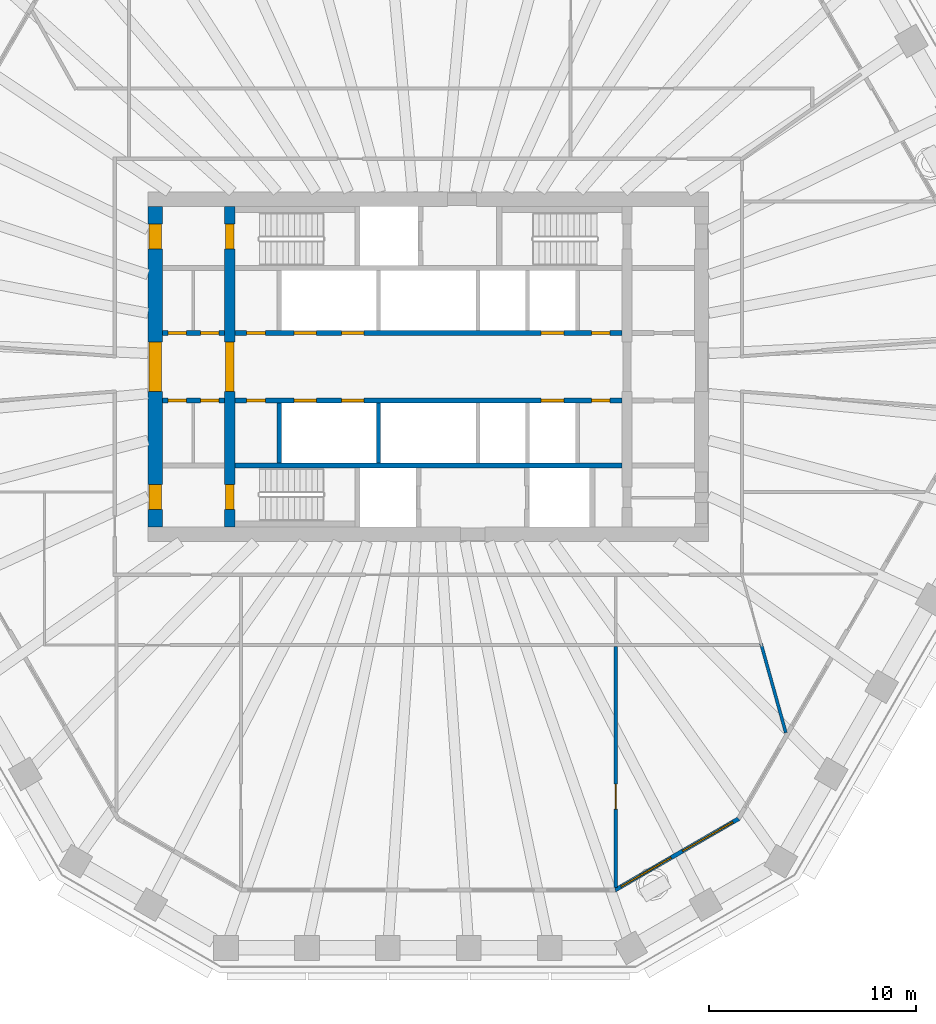
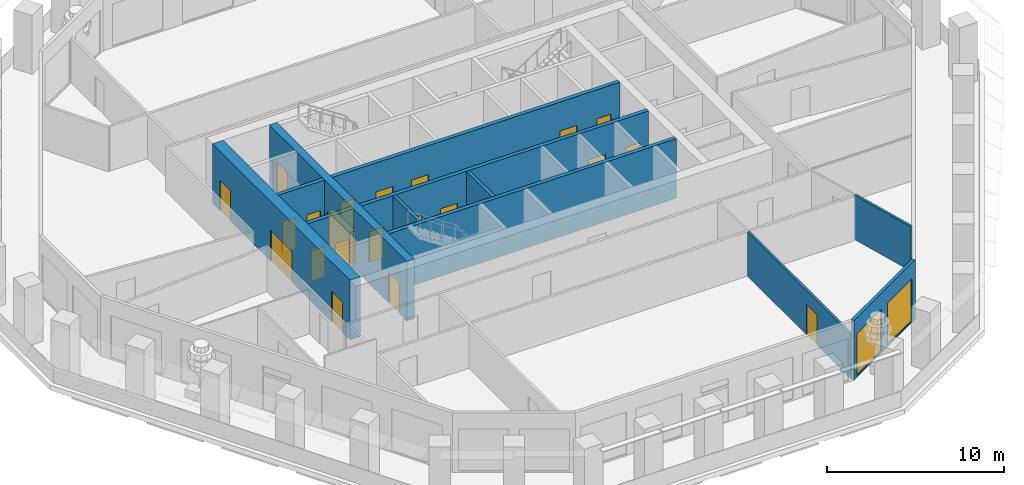
# One storey, part 4 of 12: 21 doors, 12 walls, 2 windows, 23 openings.
"""IFC4 building model written with IfcOpenShell, lengths in metres."""

from ifc_helpers import new_model, si_unit, direction, frame, frame_2d, origin, place, context, subcontext, project, spatial, polyline, rectangle, outline, extrude, material, layer, layer_set, type_object, element, fill, save


model = new_model("IFC4")

# Units and contexts
model_context = context("Model", 3, precision=1e-05, world=origin(), true_north=direction((0.0, 1.0)))
body_context = subcontext(model_context, "Body", "Model", "MODEL_VIEW")
ifc_project = project(units=[si_unit("LENGTHUNIT", "METRE"), si_unit("AREAUNIT", "SQUARE_METRE"), si_unit("VOLUMEUNIT", "CUBIC_METRE"), si_unit("PLANEANGLEUNIT", "RADIAN"), si_unit("MASSUNIT", "GRAM", prefix="KILO")], contexts=[model_context])

# Site, building, storey
site_placement = place(None, origin())
site = spatial("IfcSite", under=ifc_project, at=site_placement, CompositionType="ELEMENT")
building_placement = place(site_placement, origin())
building = spatial("IfcBuilding", under=site, at=building_placement, Name="Frailejon Research Tower", CompositionType="ELEMENT")
storey_placement = place(building_placement, frame((0.0, 0.0, 189.199951171875)))
storey = spatial("IfcBuildingStorey", under=building, at=storey_placement, Name="L41", CompositionType="ELEMENT", Elevation=189.199951171875)

# Wall, openings, doors
ifc_material_1 = material(Name="Concrete C60/75", Category="concrete")
ifc_layer_1 = layer(ifc_material_1, 0.5)
ifc_layer_set_1 = layer_set([ifc_layer_1], Name="Core shear wall 500 C60/75")
wall_type_1 = type_object("IfcWallType", Name="Core shear wall 500 C60/75", PredefinedType="SHEAR", material=ifc_layer_set_1)
wall_1_placement = place(storey_placement, frame((-9.60009765625, -7.75, 0.0), z_axis=(0.0, 0.0, 1.0), x_axis=(0.0, 1.0, 0.0)))
wall_1 = element("IfcWall", 1, at=wall_1_placement, inside=storey, type_object=wall_type_1, Name="Core shear wall", PredefinedType="SHEAR", context=body_context, shape_type="SweptSolid", body=[
    extrude(rectangle(XDim=15.5, YDim=0.5, at=frame_2d((7.75, 0.0))), origin(), (0.0, 0.0, 1.0), 4.10009765625),
])
opening_1_placement = place(wall_1_placement, frame((6.550048828125, 0.0, 0.0)))
opening_1 = element("IfcOpeningElement", 2, at=opening_1_placement, cuts=wall_1, Name="Opening D2", PredefinedType="OPENING", context=body_context, shape_type="SweptSolid", body=[
    extrude(rectangle(XDim=2.39990234375, YDim=2.10009765625, at=frame_2d((1.199951171875, 1.050048828125))), frame((0.0, 0.260009765625, 0.0), z_axis=(0.0, -1.0, 0.0), x_axis=(1.0, 0.0, 0.0)), (0.0, 0.0, 1.0), 0.52001953125),
])
opening_2_placement = place(wall_1_placement, frame((13.449951171875, 0.0, 0.0)))
opening_2 = element("IfcOpeningElement", 3, at=opening_2_placement, cuts=wall_1, Name="Opening D1", PredefinedType="OPENING", context=body_context, shape_type="SweptSolid", body=[
    extrude(rectangle(XDim=1.199951171875, YDim=2.10009765625, at=frame_2d((0.60009765625, 1.050048828125))), frame((0.0, 0.260009765625, 0.0), z_axis=(0.0, -1.0, 0.0), x_axis=(1.0, 0.0, 0.0)), (0.0, 0.0, 1.0), 0.52001953125),
])
opening_3_placement = place(wall_1_placement, frame((0.85009765625, 0.0, 0.0)))
opening_3 = element("IfcOpeningElement", 4, at=opening_3_placement, cuts=wall_1, Name="Opening D1", PredefinedType="OPENING", context=body_context, shape_type="SweptSolid", body=[
    extrude(rectangle(XDim=1.199951171875, YDim=2.10009765625, at=frame_2d((0.60009765625, 1.050048828125))), frame((0.0, 0.260009765625, 0.0), z_axis=(0.0, -1.0, 0.0), x_axis=(1.0, 0.0, 0.0)), (0.0, 0.0, 1.0), 0.52001953125),
])
ifc_material_2 = material(Name="Steel", Category="steel")
door_type_1 = type_object("IfcDoorType", Name="Lobby double door", OperationType="DOUBLE_DOOR_SINGLE_SWING", PredefinedType="DOOR", material=ifc_material_2)
door_1_placement = place(opening_1_placement, origin())
door_1 = element("IfcDoor", 5, at=door_1_placement, inside=storey, type_object=door_type_1, Name="Lobby door", OperationType="DOUBLE_DOOR_SINGLE_SWING", OverallHeight=2.10009765625, OverallWidth=2.39990234375, PredefinedType="DOOR", context=body_context, shape_type="SweptSolid", body=[
    extrude(rectangle(XDim=2.39990234375, YDim=2.10009765625, at=frame_2d((1.199951171875, 1.050048828125))), frame((0.0, 0.199951171875, 0.0), z_axis=(0.0, -1.0, 0.0), x_axis=(1.0, 0.0, 0.0)), (0.0, 0.0, 1.0), 0.39990234375),
])
fill(opening_1, door_1)
ifc_material_3 = material(Name="Steel", Category="steel")
door_type_2 = type_object("IfcDoorType", Name="Stair door", OperationType="SINGLE_SWING_LEFT", PredefinedType="DOOR", material=ifc_material_3)
door_2_placement = place(opening_2_placement, origin())
door_2 = element("IfcDoor", 6, at=door_2_placement, inside=storey, type_object=door_type_2, Name="Stair door ST1", OperationType="SINGLE_SWING_RIGHT", OverallHeight=2.10009765625, OverallWidth=1.199951171875, PredefinedType="DOOR", context=body_context, shape_type="SweptSolid", body=[
    extrude(rectangle(XDim=1.199951171875, YDim=2.10009765625, at=frame_2d((0.60009765625, 1.050048828125))), frame((0.0, 0.199951171875, 0.0), z_axis=(0.0, -1.0, 0.0), x_axis=(1.0, 0.0, 0.0)), (0.0, 0.0, 1.0), 0.39990234375),
])
fill(opening_2, door_2)
door_3_placement = place(opening_3_placement, origin())
door_3 = element("IfcDoor", 7, at=door_3_placement, inside=storey, type_object=door_type_2, Name="Stair door ST2", OperationType="SINGLE_SWING_RIGHT", OverallHeight=2.10009765625, OverallWidth=1.199951171875, PredefinedType="DOOR", context=body_context, shape_type="SweptSolid", body=[
    extrude(rectangle(XDim=1.199951171875, YDim=2.10009765625, at=frame_2d((0.60009765625, 1.050048828125))), frame((0.0, 0.199951171875, 0.0), z_axis=(0.0, -1.0, 0.0), x_axis=(1.0, 0.0, 0.0)), (0.0, 0.0, 1.0), 0.39990234375),
])
fill(opening_3, door_3)

ifc_material_4 = material(Name="Concrete C60/75", Category="concrete")
ifc_layer_2 = layer(ifc_material_4, 0.699951171875)
ifc_layer_set_2 = layer_set([ifc_layer_2], Name="Core shear wall 700 C60/75")
wall_type_2 = type_object("IfcWallType", Name="Core shear wall 700 C60/75", PredefinedType="SHEAR", material=ifc_layer_set_2)
wall_2_placement = place(storey_placement, frame((-13.199951171875, -7.75, 0.0), z_axis=(0.0, 0.0, 1.0), x_axis=(0.0, 1.0, 0.0)))
wall_2 = element("IfcWall", 8, at=wall_2_placement, inside=storey, type_object=wall_type_2, Name="Core shear wall", PredefinedType="SHEAR", context=body_context, shape_type="SweptSolid", body=[
    extrude(rectangle(XDim=15.5, YDim=0.699951171875, at=frame_2d((7.75, 0.0))), origin(), (0.0, 0.0, 1.0), 4.10009765625),
])
opening_4_placement = place(wall_2_placement, frame((6.550048828125, 0.0, 0.0)))
opening_4 = element("IfcOpeningElement", 9, at=opening_4_placement, cuts=wall_2, Name="Opening D2", PredefinedType="OPENING", context=body_context, shape_type="SweptSolid", body=[
    extrude(rectangle(XDim=2.39990234375, YDim=2.10009765625, at=frame_2d((1.199951171875, 1.050048828125))), frame((0.0, 0.35986328125, 0.0), z_axis=(0.0, -1.0, 0.0), x_axis=(1.0, 0.0, 0.0)), (0.0, 0.0, 1.0), 0.719970703125),
])
opening_5_placement = place(wall_2_placement, frame((13.449951171875, 0.0, 0.0)))
opening_5 = element("IfcOpeningElement", 10, at=opening_5_placement, cuts=wall_2, Name="Opening D7", PredefinedType="OPENING", context=body_context, shape_type="SweptSolid", body=[
    extrude(rectangle(XDim=1.199951171875, YDim=2.10009765625, at=frame_2d((0.60009765625, 1.050048828125))), frame((0.0, 0.35986328125, 0.0), z_axis=(0.0, -1.0, 0.0), x_axis=(1.0, 0.0, 0.0)), (0.0, 0.0, 1.0), 0.719970703125),
])
opening_6_placement = place(wall_2_placement, frame((0.85009765625, 0.0, 0.0)))
opening_6 = element("IfcOpeningElement", 11, at=opening_6_placement, cuts=wall_2, Name="Opening D7", PredefinedType="OPENING", context=body_context, shape_type="SweptSolid", body=[
    extrude(rectangle(XDim=1.199951171875, YDim=2.10009765625, at=frame_2d((0.60009765625, 1.050048828125))), frame((0.0, 0.35986328125, 0.0), z_axis=(0.0, -1.0, 0.0), x_axis=(1.0, 0.0, 0.0)), (0.0, 0.0, 1.0), 0.719970703125),
])
door_4_placement = place(opening_4_placement, origin())
door_4 = element("IfcDoor", 12, at=door_4_placement, inside=storey, type_object=door_type_1, Name="Lobby door", OperationType="DOUBLE_DOOR_SINGLE_SWING", OverallHeight=2.10009765625, OverallWidth=2.39990234375, PredefinedType="DOOR", context=body_context, shape_type="SweptSolid", body=[
    extrude(rectangle(XDim=2.39990234375, YDim=2.10009765625, at=frame_2d((1.199951171875, 1.050048828125))), frame((0.0, 0.300048828125, 0.0), z_axis=(0.0, -1.0, 0.0), x_axis=(1.0, 0.0, 0.0)), (0.0, 0.0, 1.0), 0.60009765625),
])
fill(opening_4, door_4)
ifc_material_5 = material(Name="Steel", Category="steel")
door_type_3 = type_object("IfcDoorType", Name="Stair exit door", OperationType="SINGLE_SWING_LEFT", PredefinedType="DOOR", material=ifc_material_5)
door_5_placement = place(opening_5_placement, origin())
door_5 = element("IfcDoor", 13, at=door_5_placement, inside=storey, type_object=door_type_3, Name="Stair exit door ST1", OperationType="SINGLE_SWING_LEFT", OverallHeight=2.10009765625, OverallWidth=1.199951171875, PredefinedType="DOOR", context=body_context, shape_type="SweptSolid", body=[
    extrude(rectangle(XDim=1.199951171875, YDim=2.10009765625, at=frame_2d((0.60009765625, 1.050048828125))), frame((0.0, 0.300048828125, 0.0), z_axis=(0.0, -1.0, 0.0), x_axis=(1.0, 0.0, 0.0)), (0.0, 0.0, 1.0), 0.60009765625),
])
fill(opening_5, door_5)
door_6_placement = place(opening_6_placement, origin())
door_6 = element("IfcDoor", 14, at=door_6_placement, inside=storey, type_object=door_type_3, Name="Stair exit door ST2", OperationType="SINGLE_SWING_LEFT", OverallHeight=2.10009765625, OverallWidth=1.199951171875, PredefinedType="DOOR", context=body_context, shape_type="SweptSolid", body=[
    extrude(rectangle(XDim=1.199951171875, YDim=2.10009765625, at=frame_2d((0.60009765625, 1.050048828125))), frame((0.0, 0.300048828125, 0.0), z_axis=(0.0, -1.0, 0.0), x_axis=(1.0, 0.0, 0.0)), (0.0, 0.0, 1.0), 0.60009765625),
])
fill(opening_6, door_6)

# Wall, opening, door
ifc_material_6 = material(Name="Gypsum board and masonry partition", Category="masonry")
ifc_layer_3 = layer(ifc_material_6, 0.14990234375)
ifc_layer_set_3 = layer_set([ifc_layer_3], Name="Laboratory partition, blockwork 150")
wall_type_3 = type_object("IfcWallType", Name="Laboratory partition, blockwork 150", PredefinedType="PARTITIONING", material=ifc_layer_set_3)
wall_3_placement = place(storey_placement, frame((9.05810546875, -25.15185546875, 0.0), z_axis=(0.0, 0.0, 1.0), x_axis=(0.0, 1.0, 0.0)))
wall_3 = element("IfcWall", 15, at=wall_3_placement, inside=storey, type_object=wall_type_3, Name="T:IW:L41:021", PredefinedType="PARTITIONING", context=body_context, shape_type="SweptSolid", body=[
    extrude(rectangle(XDim=11.626953125, YDim=0.14990234375, at=frame_2d((5.8134765625, 0.0))), origin(), (0.0, 0.0, 1.0), 3.050048828125),
])
opening_7_placement = place(wall_3_placement, frame((3.780517578125, 0.0, 0.0)))
opening_7 = element("IfcOpeningElement", 16, at=opening_7_placement, cuts=wall_3, Name="Opening D1898", PredefinedType="OPENING", context=body_context, shape_type="SweptSolid", body=[
    extrude(rectangle(XDim=1.199951171875, YDim=2.10009765625, at=frame_2d((0.60009765625, 1.050048828125))), frame((0.0, 0.0849609375, 0.0), z_axis=(0.0, -1.0, 0.0), x_axis=(1.0, 0.0, 0.0)), (0.0, 0.0, 1.0), 0.169921875),
])
ifc_material_7 = material(Name="Timber door leaf", Category="wood")
door_type_4 = type_object("IfcDoorType", Name="Door laboratory, timber, vision panel 1200", OperationType="NOTDEFINED", PredefinedType="DOOR", material=ifc_material_7)
door_7_placement = place(opening_7_placement, origin())
door_7 = element("IfcDoor", 17, at=door_7_placement, inside=storey, type_object=door_type_4, Name="D1898", OperationType="DOUBLE_DOOR_SINGLE_SWING", OverallHeight=2.10009765625, OverallWidth=1.199951171875, PredefinedType="DOOR", context=body_context, shape_type="SweptSolid", body=[
    extrude(rectangle(XDim=1.199951171875, YDim=2.10009765625, at=frame_2d((0.60009765625, 1.050048828125))), frame((0.0, 0.02490234375, 0.0), z_axis=(0.0, -1.0, 0.0), x_axis=(1.0, 0.0, 0.0)), (0.0, 0.0, 1.0), 0.050048828125),
])
fill(opening_7, door_7)

# Walls
wall_4_placement = place(storey_placement, frame((16.075927734375, -13.377685546875, 0.0), z_axis=(0.0, 0.0, 1.0), x_axis=(0.268117368294, -0.963386255257, 0.0)))
element("IfcWall", 18, at=wall_4_placement, inside=storey, type_object=wall_type_3, Name="T:IW:L41:022", PredefinedType="PARTITIONING", context=body_context, shape_type="SweptSolid", body=[
    extrude(rectangle(XDim=4.46728515625, YDim=0.14990234375, at=frame_2d((2.233642578125, 0.0))), origin(), (0.0, 0.0, 1.0), 3.050048828125),
])
ifc_material_8 = material(Name="Concrete C60/75", Category="concrete")
ifc_layer_4 = layer(ifc_material_8, 0.199951171875)
ifc_layer_set_4 = layer_set([ifc_layer_4], Name="Shaft wall 200 C60/75")
wall_type_4 = type_object("IfcWallType", Name="Shaft wall 200 C60/75", PredefinedType="SOLIDWALL", material=ifc_layer_set_4)
for number, where, z_axis, x_axis, name in (
    (19, (-7.199951171875, -4.64990234375, 0.0), (0.0, 0.0, 1.0), (0.0, 1.0, 0.0), "Shaft wall"),
    (20, (-2.39990234375, -4.64990234375, 0.0), (0.0, 0.0, 1.0), (0.0, 1.0, 0.0), "Shaft wall"),
):
    element("IfcWall", number, at=place(storey_placement, frame(where, z_axis=z_axis, x_axis=x_axis)), inside=storey, type_object=wall_type_4, Name=name, PredefinedType="SOLIDWALL", context=body_context, shape_type="SweptSolid", body=[
        extrude(rectangle(XDim=2.89990234375, YDim=0.199951171875, at=frame_2d((1.449951171875, 0.0))), origin(), (0.0, 0.0, 1.0), 4.10009765625),
    ])

# Wall, openings, doors
ifc_material_9 = material(Name="Concrete C60/75", Category="concrete")
ifc_layer_5 = layer(ifc_material_9, 0.25)
ifc_layer_set_5 = layer_set([ifc_layer_5], Name="Shaft wall 250 C60/75")
wall_type_5 = type_object("IfcWallType", Name="Shaft wall 250 C60/75", PredefinedType="SOLIDWALL", material=ifc_layer_set_5)
wall_5_placement = place(storey_placement, frame((-12.85009765625, 1.625, 0.0), z_axis=(0.0, 0.0, 1.0), x_axis=(1.0, 0.0, 0.0)))
wall_5 = element("IfcWall", 21, at=wall_5_placement, inside=storey, type_object=wall_type_5, Name="Shaft wall", PredefinedType="SOLIDWALL", context=body_context, shape_type="SweptSolid", body=[
    extrude(rectangle(XDim=3.0, YDim=0.25, at=frame_2d((1.5, 0.0))), origin(), (0.0, 0.0, 1.0), 4.10009765625),
])
opening_8_placement = place(wall_5_placement, frame((0.268798828125, 0.0, 0.0)))
opening_8 = element("IfcOpeningElement", 22, at=opening_8_placement, cuts=wall_5, Name="Opening D8", PredefinedType="OPENING", context=body_context, shape_type="SweptSolid", body=[
    extrude(rectangle(XDim=0.89990234375, YDim=2.10009765625, at=frame_2d((0.449951171875, 1.050048828125))), frame((0.0, 0.135009765625, 0.0), z_axis=(0.0, -1.0, 0.0), x_axis=(1.0, 0.0, 0.0)), (0.0, 0.0, 1.0), 0.27001953125),
])
opening_9_placement = place(wall_5_placement, frame((1.831298828125, 0.0, 0.0)))
opening_9 = element("IfcOpeningElement", 23, at=opening_9_placement, cuts=wall_5, Name="Opening D8", PredefinedType="OPENING", context=body_context, shape_type="SweptSolid", body=[
    extrude(rectangle(XDim=0.89990234375, YDim=2.10009765625, at=frame_2d((0.449951171875, 1.050048828125))), frame((0.0, 0.135009765625, 0.0), z_axis=(0.0, -1.0, 0.0), x_axis=(1.0, 0.0, 0.0)), (0.0, 0.0, 1.0), 0.27001953125),
])
ifc_material_10 = material(Name="Steel", Category="steel")
door_type_5 = type_object("IfcDoorType", Name="Core room door", OperationType="SINGLE_SWING_LEFT", PredefinedType="DOOR", material=ifc_material_10)
door_8_placement = place(opening_8_placement, origin())
door_8 = element("IfcDoor", 24, at=door_8_placement, inside=storey, type_object=door_type_5, Name="Room door", OperationType="SINGLE_SWING_LEFT", OverallHeight=2.10009765625, OverallWidth=0.89990234375, PredefinedType="DOOR", context=body_context, shape_type="SweptSolid", body=[
    extrude(rectangle(XDim=0.89990234375, YDim=2.10009765625, at=frame_2d((0.449951171875, 1.050048828125))), frame((0.0, 0.074951171875, 0.0), z_axis=(0.0, -1.0, 0.0), x_axis=(1.0, 0.0, 0.0)), (0.0, 0.0, 1.0), 0.14990234375),
])
fill(opening_8, door_8)
door_9_placement = place(opening_9_placement, origin())
door_9 = element("IfcDoor", 25, at=door_9_placement, inside=storey, type_object=door_type_5, Name="Room door", OperationType="SINGLE_SWING_RIGHT", OverallHeight=2.10009765625, OverallWidth=0.89990234375, PredefinedType="DOOR", context=body_context, shape_type="SweptSolid", body=[
    extrude(rectangle(XDim=0.89990234375, YDim=2.10009765625, at=frame_2d((0.449951171875, 1.050048828125))), frame((0.0, 0.074951171875, 0.0), z_axis=(0.0, -1.0, 0.0), x_axis=(1.0, 0.0, 0.0)), (0.0, 0.0, 1.0), 0.14990234375),
])
fill(opening_9, door_9)

wall_6_placement = place(storey_placement, frame((-9.35009765625, 1.625, 0.0), z_axis=(0.0, 0.0, 1.0), x_axis=(1.0, 0.0, 0.0)))
wall_6 = element("IfcWall", 26, at=wall_6_placement, inside=storey, type_object=wall_type_5, Name="Shaft wall", PredefinedType="SOLIDWALL", context=body_context, shape_type="SweptSolid", body=[
    extrude(rectangle(XDim=18.7001953125, YDim=0.25, at=frame_2d((9.35009765625, 0.0))), origin(), (0.0, 0.0, 1.0), 4.10009765625),
])
opening_10_placement = place(wall_6_placement, frame((2.85009765625, 0.0, 0.0)))
opening_10 = element("IfcOpeningElement", 27, at=opening_10_placement, cuts=wall_6, Name="Opening LD", PredefinedType="OPENING", context=body_context, shape_type="SweptSolid", body=[
    extrude(rectangle(XDim=1.10009765625, YDim=2.10009765625, at=frame_2d((0.550048828125, 1.050048828125))), frame((0.0, 0.135009765625, 0.0), z_axis=(0.0, -1.0, 0.0), x_axis=(1.0, 0.0, 0.0)), (0.0, 0.0, 1.0), 0.27001953125),
])
opening_11_placement = place(wall_6_placement, frame((5.14990234375, 0.0, 0.0)))
opening_11 = element("IfcOpeningElement", 28, at=opening_11_placement, cuts=wall_6, Name="Opening LD", PredefinedType="OPENING", context=body_context, shape_type="SweptSolid", body=[
    extrude(rectangle(XDim=1.10009765625, YDim=2.10009765625, at=frame_2d((0.550048828125, 1.050048828125))), frame((0.0, 0.135009765625, 0.0), z_axis=(0.0, -1.0, 0.0), x_axis=(1.0, 0.0, 0.0)), (0.0, 0.0, 1.0), 0.27001953125),
])
opening_12_placement = place(wall_6_placement, frame((14.800048828125, 0.0, 0.0)))
opening_12 = element("IfcOpeningElement", 29, at=opening_12_placement, cuts=wall_6, Name="Opening LD", PredefinedType="OPENING", context=body_context, shape_type="SweptSolid", body=[
    extrude(rectangle(XDim=1.10009765625, YDim=2.10009765625, at=frame_2d((0.550048828125, 1.050048828125))), frame((0.0, 0.135009765625, 0.0), z_axis=(0.0, -1.0, 0.0), x_axis=(1.0, 0.0, 0.0)), (0.0, 0.0, 1.0), 0.27001953125),
])
opening_13_placement = place(wall_6_placement, frame((0.574951171875, 0.0, 0.0)))
opening_13 = element("IfcOpeningElement", 30, at=opening_13_placement, cuts=wall_6, Name="Opening D8", PredefinedType="OPENING", context=body_context, shape_type="SweptSolid", body=[
    extrude(rectangle(XDim=0.89990234375, YDim=2.10009765625, at=frame_2d((0.449951171875, 1.050048828125))), frame((0.0, 0.135009765625, 0.0), z_axis=(0.0, -1.0, 0.0), x_axis=(1.0, 0.0, 0.0)), (0.0, 0.0, 1.0), 0.27001953125),
])
opening_14_placement = place(wall_6_placement, frame((17.22509765625, 0.0, 0.0)))
opening_14 = element("IfcOpeningElement", 31, at=opening_14_placement, cuts=wall_6, Name="Opening D8", PredefinedType="OPENING", context=body_context, shape_type="SweptSolid", body=[
    extrude(rectangle(XDim=0.89990234375, YDim=2.10009765625, at=frame_2d((0.449951171875, 1.050048828125))), frame((0.0, 0.135009765625, 0.0), z_axis=(0.0, -1.0, 0.0), x_axis=(1.0, 0.0, 0.0)), (0.0, 0.0, 1.0), 0.27001953125),
])
door_10_placement = place(opening_13_placement, origin())
door_10 = element("IfcDoor", 32, at=door_10_placement, inside=storey, type_object=door_type_5, Name="Room door", OperationType="SINGLE_SWING_LEFT", OverallHeight=2.10009765625, OverallWidth=0.89990234375, PredefinedType="DOOR", context=body_context, shape_type="SweptSolid", body=[
    extrude(rectangle(XDim=0.89990234375, YDim=2.10009765625, at=frame_2d((0.449951171875, 1.050048828125))), frame((0.0, 0.074951171875, 0.0), z_axis=(0.0, -1.0, 0.0), x_axis=(1.0, 0.0, 0.0)), (0.0, 0.0, 1.0), 0.14990234375),
])
fill(opening_13, door_10)
door_11_placement = place(opening_14_placement, origin())
door_11 = element("IfcDoor", 33, at=door_11_placement, inside=storey, type_object=door_type_5, Name="Room door", OperationType="SINGLE_SWING_RIGHT", OverallHeight=2.10009765625, OverallWidth=0.89990234375, PredefinedType="DOOR", context=body_context, shape_type="SweptSolid", body=[
    extrude(rectangle(XDim=0.89990234375, YDim=2.10009765625, at=frame_2d((0.449951171875, 1.050048828125))), frame((0.0, 0.074951171875, 0.0), z_axis=(0.0, -1.0, 0.0), x_axis=(1.0, 0.0, 0.0)), (0.0, 0.0, 1.0), 0.14990234375),
])
fill(opening_14, door_11)
ifc_material_11 = material(Name="Steel", Category="steel")
door_type_6 = type_object("IfcDoorType", Name="Lift landing door", OperationType="DOUBLE_DOOR_SLIDING", PredefinedType="DOOR", material=ifc_material_11)
door_12_placement = place(opening_10_placement, origin())
door_12 = element("IfcDoor", 34, at=door_12_placement, inside=storey, type_object=door_type_6, Name="Lift landing door", OperationType="DOUBLE_DOOR_SLIDING", OverallHeight=2.10009765625, OverallWidth=1.10009765625, PredefinedType="DOOR", context=body_context, shape_type="SweptSolid", body=[
    extrude(rectangle(XDim=1.10009765625, YDim=2.10009765625, at=frame_2d((0.550048828125, 1.050048828125))), frame((0.0, 0.074951171875, 0.0), z_axis=(0.0, -1.0, 0.0), x_axis=(1.0, 0.0, 0.0)), (0.0, 0.0, 1.0), 0.14990234375),
])
fill(opening_10, door_12)
door_13_placement = place(opening_11_placement, origin())
door_13 = element("IfcDoor", 35, at=door_13_placement, inside=storey, type_object=door_type_6, Name="Lift landing door", OperationType="DOUBLE_DOOR_SLIDING", OverallHeight=2.10009765625, OverallWidth=1.10009765625, PredefinedType="DOOR", context=body_context, shape_type="SweptSolid", body=[
    extrude(rectangle(XDim=1.10009765625, YDim=2.10009765625, at=frame_2d((0.550048828125, 1.050048828125))), frame((0.0, 0.074951171875, 0.0), z_axis=(0.0, -1.0, 0.0), x_axis=(1.0, 0.0, 0.0)), (0.0, 0.0, 1.0), 0.14990234375),
])
fill(opening_11, door_13)
door_14_placement = place(opening_12_placement, origin())
door_14 = element("IfcDoor", 36, at=door_14_placement, inside=storey, type_object=door_type_6, Name="Lift landing door", OperationType="DOUBLE_DOOR_SLIDING", OverallHeight=2.10009765625, OverallWidth=1.10009765625, PredefinedType="DOOR", context=body_context, shape_type="SweptSolid", body=[
    extrude(rectangle(XDim=1.10009765625, YDim=2.10009765625, at=frame_2d((0.550048828125, 1.050048828125))), frame((0.0, 0.074951171875, 0.0), z_axis=(0.0, -1.0, 0.0), x_axis=(1.0, 0.0, 0.0)), (0.0, 0.0, 1.0), 0.14990234375),
])
fill(opening_12, door_14)

wall_7_placement = place(storey_placement, frame((-12.85009765625, -1.625, 0.0), z_axis=(0.0, 0.0, 1.0), x_axis=(1.0, 0.0, 0.0)))
wall_7 = element("IfcWall", 37, at=wall_7_placement, inside=storey, type_object=wall_type_5, Name="Shaft wall", PredefinedType="SOLIDWALL", context=body_context, shape_type="SweptSolid", body=[
    extrude(rectangle(XDim=3.0, YDim=0.25, at=frame_2d((1.5, 0.0))), origin(), (0.0, 0.0, 1.0), 4.10009765625),
])
opening_15_placement = place(wall_7_placement, frame((0.268798828125, 0.0, 0.0)))
opening_15 = element("IfcOpeningElement", 38, at=opening_15_placement, cuts=wall_7, Name="Opening D8", PredefinedType="OPENING", context=body_context, shape_type="SweptSolid", body=[
    extrude(rectangle(XDim=0.89990234375, YDim=2.10009765625, at=frame_2d((0.449951171875, 1.050048828125))), frame((0.0, 0.135009765625, 0.0), z_axis=(0.0, -1.0, 0.0), x_axis=(1.0, 0.0, 0.0)), (0.0, 0.0, 1.0), 0.27001953125),
])
opening_16_placement = place(wall_7_placement, frame((1.831298828125, 0.0, 0.0)))
opening_16 = element("IfcOpeningElement", 39, at=opening_16_placement, cuts=wall_7, Name="Opening D8", PredefinedType="OPENING", context=body_context, shape_type="SweptSolid", body=[
    extrude(rectangle(XDim=0.89990234375, YDim=2.10009765625, at=frame_2d((0.449951171875, 1.050048828125))), frame((0.0, 0.135009765625, 0.0), z_axis=(0.0, -1.0, 0.0), x_axis=(1.0, 0.0, 0.0)), (0.0, 0.0, 1.0), 0.27001953125),
])
door_15_placement = place(opening_15_placement, origin())
door_15 = element("IfcDoor", 40, at=door_15_placement, inside=storey, type_object=door_type_5, Name="Room door", OperationType="SINGLE_SWING_RIGHT", OverallHeight=2.10009765625, OverallWidth=0.89990234375, PredefinedType="DOOR", context=body_context, shape_type="SweptSolid", body=[
    extrude(rectangle(XDim=0.89990234375, YDim=2.10009765625, at=frame_2d((0.449951171875, 1.050048828125))), frame((0.0, 0.074951171875, 0.0), z_axis=(0.0, -1.0, 0.0), x_axis=(1.0, 0.0, 0.0)), (0.0, 0.0, 1.0), 0.14990234375),
])
fill(opening_15, door_15)
door_16_placement = place(opening_16_placement, origin())
door_16 = element("IfcDoor", 41, at=door_16_placement, inside=storey, type_object=door_type_5, Name="Room door", OperationType="SINGLE_SWING_LEFT", OverallHeight=2.10009765625, OverallWidth=0.89990234375, PredefinedType="DOOR", context=body_context, shape_type="SweptSolid", body=[
    extrude(rectangle(XDim=0.89990234375, YDim=2.10009765625, at=frame_2d((0.449951171875, 1.050048828125))), frame((0.0, 0.074951171875, 0.0), z_axis=(0.0, -1.0, 0.0), x_axis=(1.0, 0.0, 0.0)), (0.0, 0.0, 1.0), 0.14990234375),
])
fill(opening_16, door_16)

wall_8_placement = place(storey_placement, frame((-9.35009765625, -1.625, 0.0), z_axis=(0.0, 0.0, 1.0), x_axis=(1.0, 0.0, 0.0)))
wall_8 = element("IfcWall", 42, at=wall_8_placement, inside=storey, type_object=wall_type_5, Name="Shaft wall", PredefinedType="SOLIDWALL", context=body_context, shape_type="SweptSolid", body=[
    extrude(rectangle(XDim=18.7001953125, YDim=0.25, at=frame_2d((9.35009765625, 0.0))), origin(), (0.0, 0.0, 1.0), 4.10009765625),
])
opening_17_placement = place(wall_8_placement, frame((2.85009765625, 0.0, 0.0)))
opening_17 = element("IfcOpeningElement", 43, at=opening_17_placement, cuts=wall_8, Name="Opening LD", PredefinedType="OPENING", context=body_context, shape_type="SweptSolid", body=[
    extrude(rectangle(XDim=1.10009765625, YDim=2.10009765625, at=frame_2d((0.550048828125, 1.050048828125))), frame((0.0, 0.135009765625, 0.0), z_axis=(0.0, -1.0, 0.0), x_axis=(1.0, 0.0, 0.0)), (0.0, 0.0, 1.0), 0.27001953125),
])
opening_18_placement = place(wall_8_placement, frame((5.14990234375, 0.0, 0.0)))
opening_18 = element("IfcOpeningElement", 44, at=opening_18_placement, cuts=wall_8, Name="Opening LD", PredefinedType="OPENING", context=body_context, shape_type="SweptSolid", body=[
    extrude(rectangle(XDim=1.10009765625, YDim=2.10009765625, at=frame_2d((0.550048828125, 1.050048828125))), frame((0.0, 0.135009765625, 0.0), z_axis=(0.0, -1.0, 0.0), x_axis=(1.0, 0.0, 0.0)), (0.0, 0.0, 1.0), 0.27001953125),
])
opening_19_placement = place(wall_8_placement, frame((14.800048828125, 0.0, 0.0)))
opening_19 = element("IfcOpeningElement", 45, at=opening_19_placement, cuts=wall_8, Name="Opening LD", PredefinedType="OPENING", context=body_context, shape_type="SweptSolid", body=[
    extrude(rectangle(XDim=1.10009765625, YDim=2.10009765625, at=frame_2d((0.550048828125, 1.050048828125))), frame((0.0, 0.135009765625, 0.0), z_axis=(0.0, -1.0, 0.0), x_axis=(1.0, 0.0, 0.0)), (0.0, 0.0, 1.0), 0.27001953125),
])
opening_20_placement = place(wall_8_placement, frame((0.574951171875, 0.0, 0.0)))
opening_20 = element("IfcOpeningElement", 46, at=opening_20_placement, cuts=wall_8, Name="Opening D8", PredefinedType="OPENING", context=body_context, shape_type="SweptSolid", body=[
    extrude(rectangle(XDim=0.89990234375, YDim=2.10009765625, at=frame_2d((0.449951171875, 1.050048828125))), frame((0.0, 0.135009765625, 0.0), z_axis=(0.0, -1.0, 0.0), x_axis=(1.0, 0.0, 0.0)), (0.0, 0.0, 1.0), 0.27001953125),
])
opening_21_placement = place(wall_8_placement, frame((17.22509765625, 0.0, 0.0)))
opening_21 = element("IfcOpeningElement", 47, at=opening_21_placement, cuts=wall_8, Name="Opening D8", PredefinedType="OPENING", context=body_context, shape_type="SweptSolid", body=[
    extrude(rectangle(XDim=0.89990234375, YDim=2.10009765625, at=frame_2d((0.449951171875, 1.050048828125))), frame((0.0, 0.135009765625, 0.0), z_axis=(0.0, -1.0, 0.0), x_axis=(1.0, 0.0, 0.0)), (0.0, 0.0, 1.0), 0.27001953125),
])
door_17_placement = place(opening_20_placement, origin())
door_17 = element("IfcDoor", 48, at=door_17_placement, inside=storey, type_object=door_type_5, Name="Room door", OperationType="SINGLE_SWING_RIGHT", OverallHeight=2.10009765625, OverallWidth=0.89990234375, PredefinedType="DOOR", context=body_context, shape_type="SweptSolid", body=[
    extrude(rectangle(XDim=0.89990234375, YDim=2.10009765625, at=frame_2d((0.449951171875, 1.050048828125))), frame((0.0, 0.074951171875, 0.0), z_axis=(0.0, -1.0, 0.0), x_axis=(1.0, 0.0, 0.0)), (0.0, 0.0, 1.0), 0.14990234375),
])
fill(opening_20, door_17)
door_18_placement = place(opening_21_placement, origin())
door_18 = element("IfcDoor", 49, at=door_18_placement, inside=storey, type_object=door_type_5, Name="Room door", OperationType="SINGLE_SWING_LEFT", OverallHeight=2.10009765625, OverallWidth=0.89990234375, PredefinedType="DOOR", context=body_context, shape_type="SweptSolid", body=[
    extrude(rectangle(XDim=0.89990234375, YDim=2.10009765625, at=frame_2d((0.449951171875, 1.050048828125))), frame((0.0, 0.074951171875, 0.0), z_axis=(0.0, -1.0, 0.0), x_axis=(1.0, 0.0, 0.0)), (0.0, 0.0, 1.0), 0.14990234375),
])
fill(opening_21, door_18)
door_19_placement = place(opening_17_placement, origin())
door_19 = element("IfcDoor", 50, at=door_19_placement, inside=storey, type_object=door_type_6, Name="Lift landing door", OperationType="DOUBLE_DOOR_SLIDING", OverallHeight=2.10009765625, OverallWidth=1.10009765625, PredefinedType="DOOR", context=body_context, shape_type="SweptSolid", body=[
    extrude(rectangle(XDim=1.10009765625, YDim=2.10009765625, at=frame_2d((0.550048828125, 1.050048828125))), frame((0.0, 0.074951171875, 0.0), z_axis=(0.0, -1.0, 0.0), x_axis=(1.0, 0.0, 0.0)), (0.0, 0.0, 1.0), 0.14990234375),
])
fill(opening_17, door_19)
door_20_placement = place(opening_18_placement, origin())
door_20 = element("IfcDoor", 51, at=door_20_placement, inside=storey, type_object=door_type_6, Name="Lift landing door", OperationType="DOUBLE_DOOR_SLIDING", OverallHeight=2.10009765625, OverallWidth=1.10009765625, PredefinedType="DOOR", context=body_context, shape_type="SweptSolid", body=[
    extrude(rectangle(XDim=1.10009765625, YDim=2.10009765625, at=frame_2d((0.550048828125, 1.050048828125))), frame((0.0, 0.074951171875, 0.0), z_axis=(0.0, -1.0, 0.0), x_axis=(1.0, 0.0, 0.0)), (0.0, 0.0, 1.0), 0.14990234375),
])
fill(opening_18, door_20)
door_21_placement = place(opening_19_placement, origin())
door_21 = element("IfcDoor", 52, at=door_21_placement, inside=storey, type_object=door_type_6, Name="Lift landing door", OperationType="DOUBLE_DOOR_SLIDING", OverallHeight=2.10009765625, OverallWidth=1.10009765625, PredefinedType="DOOR", context=body_context, shape_type="SweptSolid", body=[
    extrude(rectangle(XDim=1.10009765625, YDim=2.10009765625, at=frame_2d((0.550048828125, 1.050048828125))), frame((0.0, 0.074951171875, 0.0), z_axis=(0.0, -1.0, 0.0), x_axis=(1.0, 0.0, 0.0)), (0.0, 0.0, 1.0), 0.14990234375),
])
fill(opening_19, door_21)

# Wall
wall_9_placement = place(storey_placement, frame((-9.35009765625, -4.77490234375, 0.0), z_axis=(0.0, 0.0, 1.0), x_axis=(1.0, 0.0, 0.0)))
element("IfcWall", 53, at=wall_9_placement, inside=storey, type_object=wall_type_5, Name="Shaft wall", PredefinedType="SOLIDWALL", context=body_context, shape_type="SweptSolid", body=[
    extrude(rectangle(XDim=18.7001953125, YDim=0.25, at=frame_2d((9.35009765625, 0.0))), origin(), (0.0, 0.0, 1.0), 4.10009765625),
])

# Wall, openings, windows
ifc_material_12 = material(Name="Concrete C40/50 precast window wall panel", Category="concrete")
ifc_layer_6 = layer(ifc_material_12, 0.199951171875)
ifc_layer_set_6 = layer_set([ifc_layer_6], Name="Window wall 200")
wall_type_6 = type_object("IfcWallType", Name="Window wall 200", PredefinedType="SOLIDWALL", material=ifc_layer_set_6)
wall_10_placement = place(storey_placement, frame((9.03125, -25.28271484375, 0.0), z_axis=(0.0, 0.0, 1.0), x_axis=(0.866029458321, 0.49999297727, 0.0)))
wall_10 = element("IfcWall", 54, at=wall_10_placement, inside=storey, type_object=wall_type_6, Name="Exterior wall L41", PredefinedType="SOLIDWALL", context=body_context, shape_type="SweptSolid", body=[
    extrude(outline(polyline([(-0.02685546875, -0.10009765625), (1.1279296875, -0.10009765625), (2.282470703125, -0.10009765625), (3.437255859375, -0.10009765625), (4.592041015625, -0.10009765625), (5.74658203125, -0.10009765625), (6.9013671875, -0.10009765625), (6.84765625, 0.10009765625), (5.7109375, 0.10009765625), (4.573974609375, 0.10009765625), (3.437255859375, 0.10009765625), (2.300537109375, 0.10009765625), (1.16357421875, 0.10009765625), (0.02685546875, 0.10009765625), (-0.02685546875, -0.10009765625)])), origin(), (0.0, 0.0, 1.0), 4.10009765625),
])
opening_22_placement = place(wall_10_placement, frame((0.318603515625, 0.0, 0.10009765625)))
opening_22 = element("IfcOpeningElement", 55, at=opening_22_placement, cuts=wall_10, Name="Opening W3", PredefinedType="OPENING", context=body_context, shape_type="SweptSolid", body=[
    extrude(rectangle(XDim=2.800048828125, YDim=2.89990234375, at=frame_2d((1.39990234375, 1.449951171875))), frame((0.0, 0.10986328125, 0.0), z_axis=(0.0, -1.0, 0.0), x_axis=(1.0, 0.0, 0.0)), (0.0, 0.0, 1.0), 0.219970703125),
])
opening_23_placement = place(wall_10_placement, frame((3.756103515625, 0.0, 0.10009765625)))
opening_23 = element("IfcOpeningElement", 56, at=opening_23_placement, cuts=wall_10, Name="Opening W3", PredefinedType="OPENING", context=body_context, shape_type="SweptSolid", body=[
    extrude(rectangle(XDim=2.800048828125, YDim=2.89990234375, at=frame_2d((1.39990234375, 1.449951171875))), frame((0.0, 0.10986328125, 0.0), z_axis=(0.0, -1.0, 0.0), x_axis=(1.0, 0.0, 0.0)), (0.0, 0.0, 1.0), 0.219970703125),
])
ifc_material_13 = material(Name="Aluminium framed double glazing", Category="aluminium")
window_type = type_object("IfcWindowType", Name="Window 2800x2900", PartitioningType="SINGLE_PANEL", PredefinedType="WINDOW", material=ifc_material_13)
window_1_placement = place(opening_22_placement, origin())
window_1 = element("IfcWindow", 57, at=window_1_placement, inside=storey, type_object=window_type, Name="Window L41", OverallHeight=2.89990234375, OverallWidth=2.800048828125, PartitioningType="SINGLE_PANEL", PredefinedType="WINDOW", context=body_context, shape_type="SweptSolid", body=[
    extrude(rectangle(XDim=2.800048828125, YDim=2.89990234375, at=frame_2d((1.39990234375, 1.449951171875))), frame((0.0, 0.030029296875, 0.0), z_axis=(0.0, -1.0, 0.0), x_axis=(1.0, 0.0, 0.0)), (0.0, 0.0, 1.0), 0.06005859375),
])
fill(opening_22, window_1)
window_2_placement = place(opening_23_placement, origin())
window_2 = element("IfcWindow", 58, at=window_2_placement, inside=storey, type_object=window_type, Name="Window L41", OverallHeight=2.89990234375, OverallWidth=2.800048828125, PartitioningType="SINGLE_PANEL", PredefinedType="WINDOW", context=body_context, shape_type="SweptSolid", body=[
    extrude(rectangle(XDim=2.800048828125, YDim=2.89990234375, at=frame_2d((1.39990234375, 1.449951171875))), frame((0.0, 0.030029296875, 0.0), z_axis=(0.0, -1.0, 0.0), x_axis=(1.0, 0.0, 0.0)), (0.0, 0.0, 1.0), 0.06005859375),
])
fill(opening_23, window_2)

save(model, "model.ifc")
